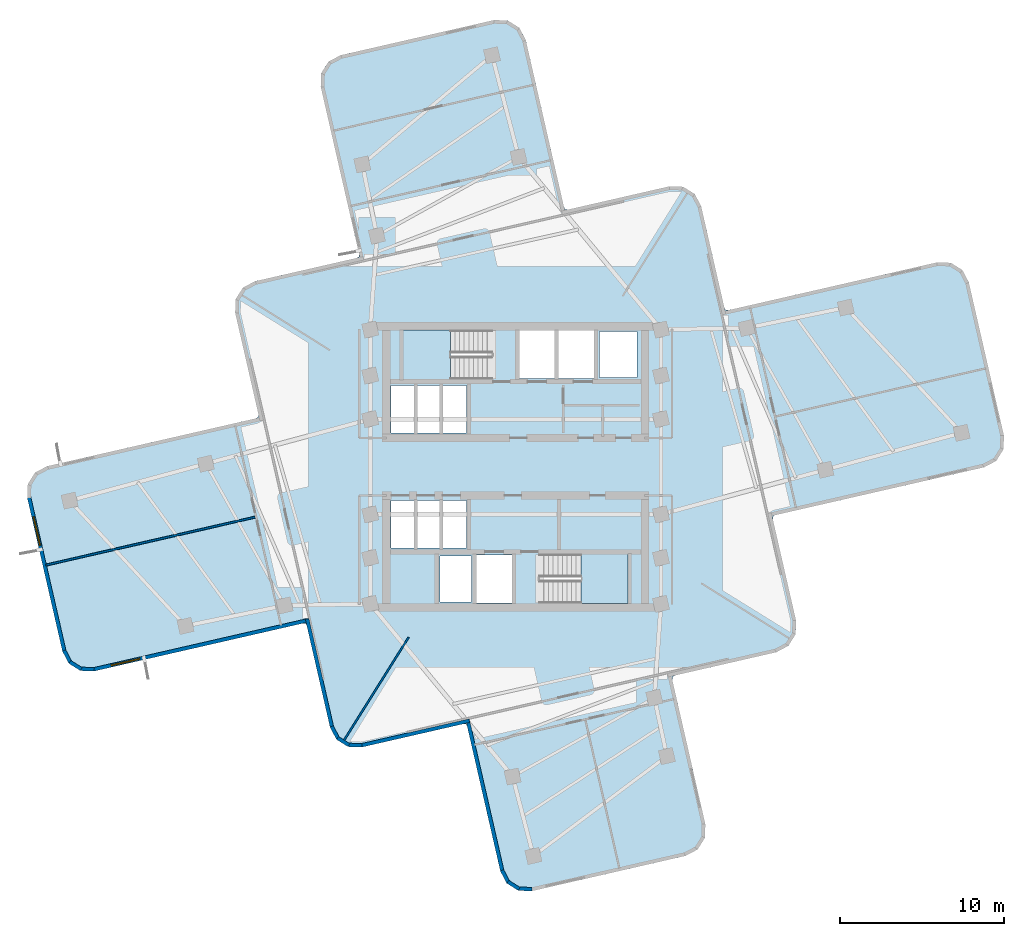
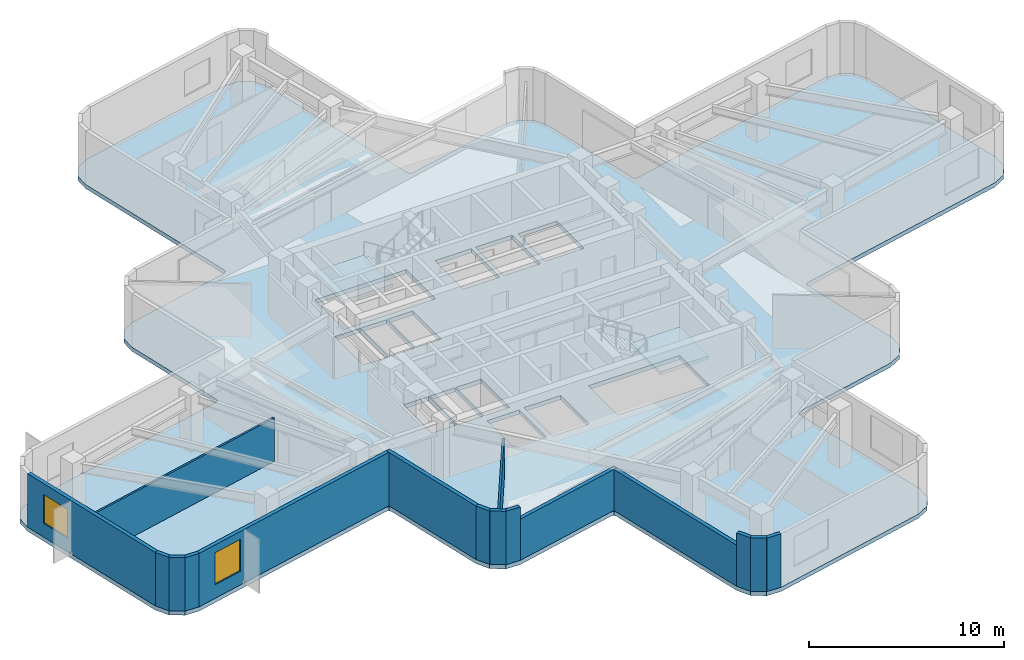
# One storey, part 2 of 7: 16 walls, 3 slabs, 2 windows, 2 openings, 2 elements without a shape of their own.
"""IFC4 building model written with IfcOpenShell, lengths in metres."""

from ifc_helpers import new_model, si_unit, direction, frame, frame_2d, origin, place, context, subcontext, project, spatial, polyline, rectangle, outline, extrude, material, layer, layer_set, type_object, element, fill, aggregate, save


model = new_model("IFC4")

# Units and contexts
model_context = context("Model", 3, precision=1e-05, world=origin(), true_north=direction((0.0, 1.0)))
body_context = subcontext(model_context, "Body", "Model", "MODEL_VIEW")
ifc_project = project(units=[si_unit("LENGTHUNIT", "METRE"), si_unit("AREAUNIT", "SQUARE_METRE"), si_unit("VOLUMEUNIT", "CUBIC_METRE"), si_unit("PLANEANGLEUNIT", "RADIAN"), si_unit("MASSUNIT", "GRAM", prefix="KILO")], contexts=[model_context])

# Site, building, storey
site_placement = place(None, origin())
site = spatial("IfcSite", under=ifc_project, at=site_placement, CompositionType="ELEMENT")
building_placement = place(site_placement, origin())
building = spatial("IfcBuilding", under=site, at=building_placement, Name="Solmarez Civic Tower", CompositionType="ELEMENT")
storey_placement = place(building_placement, frame((0.0, 0.0, 116.280029296875)))
storey = spatial("IfcBuildingStorey", under=building, at=storey_placement, Name="L30", CompositionType="ELEMENT", Elevation=116.280029296875)

# Stair, slab
ifc_material_1 = material(Name="Concrete C50/60", Category="concrete")
stair_type = type_object("IfcStairType", Name="STAIR-DOGLEG-140W-20R-1800", PredefinedType="HALF_TURN_STAIR", material=ifc_material_1)
stair_1_placement = place(storey_placement, origin())
stair_1 = element("IfcStair", 1, at=stair_1_placement, inside=storey, type_object=stair_type, Name="L30 North Core Protected Exit Stair ST-1", PredefinedType="HALF_TURN_STAIR")
ifc_layer_1 = layer(ifc_material_1, 0.199951171875)
ifc_layer_set_1 = layer_set([ifc_layer_1], Name="Concrete C50/60")
slab_type_1 = type_object("IfcSlabType", Name="SLAB-LANDING-200", PredefinedType="LANDING", material=ifc_layer_set_1)
slab_1_placement = place(storey_placement, frame((0.0, 0.0, 1.599853515625)))
slab_1 = element("IfcSlab", 2, at=slab_1_placement, type_object=slab_type_1, Name="ST-1 landing 1", PredefinedType="LANDING", context=body_context, shape_type="SweptSolid", body=[
    extrude(outline(polyline([(-3.969970703125, 8.320068359375), (-6.85009765625, 8.320068359375), (-6.85009765625, 5.320068359375), (-3.969970703125, 5.320068359375), (-3.969970703125, 8.320068359375)])), origin(), (0.0, 0.0, 1.0), 0.2001953125),
])
aggregate(stair_1, [slab_1])

stair_2_placement = place(storey_placement, origin())
stair_2 = element("IfcStair", 3, at=stair_2_placement, inside=storey, type_object=stair_type, Name="L30 South Core Protected Exit Stair ST-2", PredefinedType="HALF_TURN_STAIR")
slab_2_placement = place(storey_placement, frame((0.0, 0.0, 1.599853515625)))
slab_2 = element("IfcSlab", 4, at=slab_2_placement, type_object=slab_type_1, Name="ST-2 landing 1", PredefinedType="LANDING", context=body_context, shape_type="SweptSolid", body=[
    extrude(outline(polyline([(3.969970703125, -8.320068359375), (6.85009765625, -8.320068359375), (6.85009765625, -5.320068359375), (3.969970703125, -5.320068359375), (3.969970703125, -8.320068359375)])), origin(), (0.0, 0.0, 1.0), 0.2001953125),
])
aggregate(stair_2, [slab_2])

# Slab
ifc_layer_2 = layer(ifc_material_1, 0.260009765625)
ifc_layer_set_2 = layer_set([ifc_layer_2], Name="Concrete C50/60")
slab_type_2 = type_object("IfcSlabType", Name="SLAB-TOWER-260", PredefinedType="FLOOR", material=ifc_layer_set_2)
slab_3_placement = place(storey_placement, frame((0.0, 0.0, -0.260009765625)))
element("IfcSlab", 5, at=slab_3_placement, inside=storey, type_object=slab_type_2, Name="L30 Structural Slab", PredefinedType="FLOOR", context=body_context, shape_type="SweptSolid", body=[
    extrude(outline(polyline([(-12.70703125, -9.69189453125), (-11.2919921875, -15.87109375), (-10.904052734375, -16.60302734375), (-10.202880859375, -17.0439453125), (-9.375, -17.073974609375), (-3.196044921875, -15.658935546875), (-3.02392578125, -15.6650390625), (-2.943115234375, -15.81689453125), (-0.925048828125, -24.6279296875), (-0.5380859375, -25.360107421875), (0.1640625, -25.800048828125), (0.991943359375, -25.8310546875), (10.34912109375, -23.68701171875), (11.0810546875, -23.300048828125), (11.52099609375, -22.597900390625), (11.552001953125, -21.77099609375), (9.533935546875, -12.958984375), (9.5400390625, -12.787109375), (9.69189453125, -12.70703125), (15.87109375, -11.2919921875), (16.60302734375, -10.904052734375), (17.0439453125, -10.202880859375), (17.073974609375, -9.375), (15.658935546875, -3.196044921875), (15.6650390625, -3.02392578125), (15.81689453125, -2.943115234375), (28.527099609375, -0.031982421875), (29.259033203125, 0.35498046875), (29.698974609375, 1.056884765625), (29.72998046875, 1.885009765625), (27.5859375, 11.241943359375), (27.198974609375, 11.97412109375), (26.4970703125, 12.4140625), (25.669921875, 12.445068359375), (12.958984375, 9.533935546875), (12.787109375, 9.5400390625), (12.70703125, 9.69189453125), (11.2919921875, 15.87109375), (10.904052734375, 16.60302734375), (10.202880859375, 17.0439453125), (9.375, 17.073974609375), (3.196044921875, 15.658935546875), (3.02392578125, 15.6650390625), (2.943115234375, 15.81689453125), (0.613037109375, 25.992919921875), (0.22509765625, 26.72509765625), (-0.47705078125, 27.1650390625), (-1.303955078125, 27.195068359375), (-10.662109375, 25.052001953125), (-11.39404296875, 24.6640625), (-11.833984375, 23.962890625), (-11.864013671875, 23.135009765625), (-9.533935546875, 12.958984375), (-9.5400390625, 12.787109375), (-9.69189453125, 12.70703125), (-15.87109375, 11.2919921875), (-16.60302734375, 10.904052734375), (-17.0439453125, 10.202880859375), (-17.073974609375, 9.375), (-15.658935546875, 3.196044921875), (-15.6650390625, 3.02392578125), (-15.81689453125, 2.943115234375), (-28.527099609375, 0.031982421875), (-29.259033203125, -0.35498046875), (-29.698974609375, -1.056884765625), (-29.72998046875, -1.885009765625), (-27.5859375, -11.241943359375), (-27.198974609375, -11.97412109375), (-26.4970703125, -12.4140625), (-25.669921875, -12.445068359375), (-12.958984375, -9.533935546875), (-12.787109375, -9.5400390625), (-12.70703125, -9.69189453125)]), holes=[polyline([(-1.449951171875, 8.320068359375), (-6.85009765625, 8.320068359375), (-6.85009765625, 5.320068359375), (-1.449951171875, 5.320068359375), (-1.449951171875, 8.320068359375)]), polyline([(1.449951171875, -8.320068359375), (6.85009765625, -8.320068359375), (6.85009765625, -5.320068359375), (1.449951171875, -5.320068359375), (1.449951171875, -8.320068359375)]), polyline([(0.219970703125, 5.360107421875), (2.3798828125, 5.360107421875), (2.3798828125, 8.280029296875), (0.219970703125, 8.280029296875), (0.219970703125, 5.360107421875)]), polyline([(2.6201171875, 5.360107421875), (4.780029296875, 5.360107421875), (4.780029296875, 8.280029296875), (2.6201171875, 8.280029296875), (2.6201171875, 5.360107421875)]), polyline([(-2.3798828125, -8.280029296875), (-0.219970703125, -8.280029296875), (-0.219970703125, -5.360107421875), (-2.3798828125, -5.360107421875), (-2.3798828125, -8.280029296875)]), polyline([(-7.60009765625, -4.9599609375), (-6.1201171875, -4.9599609375), (-6.1201171875, -2.06005859375), (-7.60009765625, -2.06005859375), (-7.60009765625, -4.9599609375)]), polyline([(-6.0400390625, -4.9599609375), (-4.56005859375, -4.9599609375), (-4.56005859375, -2.06005859375), (-6.0400390625, -2.06005859375), (-6.0400390625, -4.9599609375)]), polyline([(-4.47998046875, -4.9599609375), (-3.0, -4.9599609375), (-3.0, -2.06005859375), (-4.47998046875, -2.06005859375), (-4.47998046875, -4.9599609375)]), polyline([(-7.60009765625, 2.06005859375), (-6.1201171875, 2.06005859375), (-6.1201171875, 4.9599609375), (-7.60009765625, 4.9599609375), (-7.60009765625, 2.06005859375)]), polyline([(-6.0400390625, 2.06005859375), (-4.56005859375, 2.06005859375), (-4.56005859375, 4.9599609375), (-6.0400390625, 4.9599609375), (-6.0400390625, 2.06005859375)]), polyline([(-4.47998046875, 2.06005859375), (-3.0, 2.06005859375), (-3.0, 4.9599609375), (-4.47998046875, 4.9599609375), (-4.47998046875, 2.06005859375)]), polyline([(5.10009765625, 5.419921875), (7.39990234375, 5.419921875), (7.39990234375, 8.219970703125), (5.10009765625, 8.219970703125), (5.10009765625, 5.419921875)]), polyline([(-4.60009765625, -8.219970703125), (-2.699951171875, -8.219970703125), (-2.699951171875, -5.419921875), (-4.60009765625, -5.419921875), (-4.60009765625, -8.219970703125)])]), origin(), (0.0, 0.0, 1.0), 0.260009765625),
])

# Wall, opening, window
ifc_material_2 = material(Name="Precast concrete C40/50", Category="concrete")
ifc_layer_3 = layer(ifc_material_2, 0.219970703125)
ifc_layer_set_3 = layer_set([ifc_layer_3], Name="Precast concrete C40/50")
wall_type_1 = type_object("IfcWallType", Name="WALL-EXT-220", PredefinedType="SOLIDWALL", material=ifc_layer_set_3)
wall_1_placement = place(storey_placement, frame((-12.5849609375, -9.3349609375, 0.0), z_axis=(0.0, 0.0, 1.0), x_axis=(-0.974754036658, -0.223281365141, 0.0)))
wall_1 = element("IfcWall", 6, at=wall_1_placement, inside=storey, type_object=wall_type_1, Name="L30 Exterior Precast Wall 2", PredefinedType="SOLIDWALL", context=body_context, shape_type="SweptSolid", body=[
    extrude(rectangle(XDim=13.458984375, YDim=0.219970703125, at=frame_2d((6.7294921875, 0.0))), origin(), (0.0, 0.0, 1.0), 3.340087890625),
])
opening_1_placement = place(wall_1_placement, frame((10.55908203125, 0.0, 0.85009765625)))
opening_1 = element("IfcOpeningElement", 7, at=opening_1_placement, cuts=wall_1, Name="Opening W-04", PredefinedType="OPENING", context=body_context, shape_type="SweptSolid", body=[
    extrude(rectangle(XDim=1.800048828125, YDim=2.0, at=frame_2d((0.89990234375, 1.0))), frame((0.0, 0.119873046875, 0.0), z_axis=(0.0, -1.0, 0.0), x_axis=(1.0, 0.0, 0.0)), (0.0, 0.0, 1.0), 0.239990234375),
])
ifc_material_3 = material(Name="Solar Control Bronze-Tinted Insulating Glass", Category="glass")
window_type_1 = type_object("IfcWindowType", Name="WIN-1800X2000", PartitioningType="SINGLE_PANEL", PredefinedType="WINDOW", material=ifc_material_3)
window_1_placement = place(opening_1_placement, origin())
window_1 = element("IfcWindow", 8, at=window_1_placement, inside=storey, type_object=window_type_1, Name="L30 Exterior Facade Window 2", OverallHeight=2.0, OverallWidth=1.800048828125, PartitioningType="SINGLE_PANEL", PredefinedType="WINDOW", context=body_context, shape_type="SweptSolid", body=[
    extrude(rectangle(XDim=1.800048828125, YDim=2.0, at=frame_2d((0.89990234375, 1.0))), frame((0.0, 0.030029296875, 0.0), z_axis=(0.0, -1.0, 0.0), x_axis=(1.0, 0.0, 0.0)), (0.0, 0.0, 1.0), 0.06005859375),
])
fill(opening_1, window_1)

# Walls
wall_2_placement = place(storey_placement, frame((-25.655029296875, -12.3349609375, 0.0), z_axis=(0.0, 0.0, 1.0), x_axis=(-0.999352376715, 0.035983706773, 0.0)))
element("IfcWall", 9, at=wall_2_placement, inside=storey, type_object=wall_type_1, Name="L30 Exterior Precast Wall 3", PredefinedType="SOLIDWALL", context=body_context, shape_type="SweptSolid", body=[
    extrude(rectangle(XDim=0.83447265625, YDim=0.219970703125, at=frame_2d((0.417236328125, 0.0))), origin(), (0.0, 0.0, 1.0), 3.340087890625),
])
wall_3_placement = place(storey_placement, frame((-26.443115234375, -12.319091796875, 0.0), z_axis=(0.0, 0.0, 1.0), x_axis=(-0.846889988853, 0.531768132536, 0.0)))
element("IfcWall", 10, at=wall_3_placement, inside=storey, type_object=wall_type_1, Name="L30 Exterior Precast Wall 4", PredefinedType="SOLIDWALL", context=body_context, shape_type="SweptSolid", body=[
    extrude(rectangle(XDim=0.818115234375, YDim=0.219970703125, at=frame_2d((0.4091796875, 0.0))), origin(), (0.0, 0.0, 1.0), 3.340087890625),
])
wall_4_placement = place(storey_placement, frame((-27.10302734375, -11.9189453125, 0.0), z_axis=(0.0, 0.0, 1.0), x_axis=(-0.468506090516, 0.883460266876, 0.0)))
element("IfcWall", 11, at=wall_4_placement, inside=storey, type_object=wall_type_1, Name="L30 Exterior Precast Wall 5", PredefinedType="SOLIDWALL", context=body_context, shape_type="SweptSolid", body=[
    extrude(rectangle(XDim=0.834228515625, YDim=0.219970703125, at=frame_2d((0.4169921875, 0.0))), origin(), (0.0, 0.0, 1.0), 3.340087890625),
])

# Wall, opening, window
wall_5_placement = place(storey_placement, frame((-27.47607421875, -11.22802734375, 0.0), z_axis=(0.0, 0.0, 1.0), x_axis=(-0.223358074049, 0.974736462208, 0.0)))
wall_5 = element("IfcWall", 12, at=wall_5_placement, inside=storey, type_object=wall_type_1, Name="L30 Exterior Precast Wall 6", PredefinedType="SOLIDWALL", context=body_context, shape_type="SweptSolid", body=[
    extrude(rectangle(XDim=9.62109375, YDim=0.219970703125, at=frame_2d((4.810546875, 0.0))), origin(), (0.0, 0.0, 1.0), 3.340087890625),
])
opening_2_placement = place(wall_5_placement, frame((6.60400390625, 0.0, 0.85009765625)))
opening_2 = element("IfcOpeningElement", 13, at=opening_2_placement, cuts=wall_5, Name="Opening W-08", PredefinedType="OPENING", context=body_context, shape_type="SweptSolid", body=[
    extrude(rectangle(XDim=1.800048828125, YDim=1.800048828125, at=frame_2d((0.89990234375, 0.89990234375))), frame((0.0, 0.119873046875, 0.0), z_axis=(0.0, -1.0, 0.0), x_axis=(1.0, 0.0, 0.0)), (0.0, 0.0, 1.0), 0.239990234375),
])
window_type_2 = type_object("IfcWindowType", Name="WIN-1800X1800", PartitioningType="SINGLE_PANEL", PredefinedType="WINDOW", material=ifc_material_3)
window_2_placement = place(opening_2_placement, origin())
window_2 = element("IfcWindow", 14, at=window_2_placement, inside=storey, type_object=window_type_2, Name="L30 Exterior Facade Window 6", OverallHeight=1.800048828125, OverallWidth=1.800048828125, PartitioningType="SINGLE_PANEL", PredefinedType="WINDOW", context=body_context, shape_type="SweptSolid", body=[
    extrude(rectangle(XDim=1.800048828125, YDim=1.800048828125, at=frame_2d((0.89990234375, 0.89990234375))), frame((0.0, 0.030029296875, 0.0), z_axis=(0.0, -1.0, 0.0), x_axis=(1.0, 0.0, 0.0)), (0.0, 0.0, 1.0), 0.06005859375),
])
fill(opening_2, window_2)

# Walls
wall_6_placement = place(storey_placement, frame((1.006103515625, -25.720947265625, 0.0), z_axis=(0.0, 0.0, 1.0), x_axis=(-0.999307996296, 0.037195813461, 0.0)))
element("IfcWall", 15, at=wall_6_placement, inside=storey, type_object=wall_type_1, Name="L30 Exterior Precast Wall 61", PredefinedType="SOLIDWALL", context=body_context, shape_type="SweptSolid", body=[
    extrude(rectangle(XDim=0.83349609375, YDim=0.219970703125, at=frame_2d((0.416748046875, 0.0))), origin(), (0.0, 0.0, 1.0), 3.340087890625),
])
wall_7_placement = place(storey_placement, frame((0.218994140625, -25.7041015625, 0.0), z_axis=(0.0, 0.0, 1.0), x_axis=(-0.847847482865, 0.530240177466, 0.0)))
element("IfcWall", 16, at=wall_7_placement, inside=storey, type_object=wall_type_1, Name="L30 Exterior Precast Wall 62", PredefinedType="SOLIDWALL", context=body_context, shape_type="SweptSolid", body=[
    extrude(rectangle(XDim=0.818603515625, YDim=0.219970703125, at=frame_2d((0.4091796875, 0.0))), origin(), (0.0, 0.0, 1.0), 3.340087890625),
])
wall_8_placement = place(storey_placement, frame((-0.44189453125, -25.304931640625, 0.0), z_axis=(0.0, 0.0, 1.0), x_axis=(-0.468250279951, 0.883595877835, 0.0)))
element("IfcWall", 17, at=wall_8_placement, inside=storey, type_object=wall_type_1, Name="L30 Exterior Precast Wall 63", PredefinedType="SOLIDWALL", context=body_context, shape_type="SweptSolid", body=[
    extrude(rectangle(XDim=0.835205078125, YDim=0.219970703125, at=frame_2d((0.41748046875, 0.0))), origin(), (0.0, 0.0, 1.0), 3.340087890625),
])
wall_9_placement = place(storey_placement, frame((-0.81494140625, -24.613037109375, 0.0), z_axis=(0.0, 0.0, 1.0), x_axis=(-0.223313309104, 0.974746718885, 0.0)))
element("IfcWall", 18, at=wall_9_placement, inside=storey, type_object=wall_type_1, Name="L30 Exterior Precast Wall 64", PredefinedType="SOLIDWALL", context=body_context, shape_type="SweptSolid", body=[
    extrude(rectangle(XDim=9.457763671875, YDim=0.219970703125, at=frame_2d((4.72900390625, 0.0))), origin(), (0.0, 0.0, 1.0), 2.570068359375),
])
wall_10_placement = place(storey_placement, frame((-2.821044921875, -15.4599609375, 0.0), z_axis=(0.0, 0.0, 1.0), x_axis=(-0.974754598481, -0.223278912438, 0.0)))
element("IfcWall", 19, at=wall_10_placement, inside=storey, type_object=wall_type_1, Name="L30 Exterior Precast Wall 67", PredefinedType="SOLIDWALL", context=body_context, shape_type="SweptSolid", body=[
    extrude(rectangle(XDim=6.758544921875, YDim=0.219970703125, at=frame_2d((3.37939453125, 0.0))), origin(), (0.0, 0.0, 1.0), 2.570068359375),
])
wall_11_placement = place(storey_placement, frame((-9.360107421875, -16.964111328125, 0.0), z_axis=(0.0, 0.0, 1.0), x_axis=(-0.999352376715, 0.035983706773, 0.0)))
element("IfcWall", 20, at=wall_11_placement, inside=storey, type_object=wall_type_1, Name="L30 Exterior Precast Wall 68", PredefinedType="SOLIDWALL", context=body_context, shape_type="SweptSolid", body=[
    extrude(rectangle(XDim=0.83447265625, YDim=0.219970703125, at=frame_2d((0.417236328125, 0.0))), origin(), (0.0, 0.0, 1.0), 3.340087890625),
])
wall_12_placement = place(storey_placement, frame((-10.14794921875, -16.947998046875, 0.0), z_axis=(0.0, 0.0, 1.0), x_axis=(-0.847311109497, 0.531096868492, 0.0)))
element("IfcWall", 21, at=wall_12_placement, inside=storey, type_object=wall_type_1, Name="L30 Exterior Precast Wall 69", PredefinedType="SOLIDWALL", context=body_context, shape_type="SweptSolid", body=[
    extrude(rectangle(XDim=0.819091796875, YDim=0.219970703125, at=frame_2d((0.40966796875, 0.0))), origin(), (0.0, 0.0, 1.0), 3.340087890625),
])
wall_13_placement = place(storey_placement, frame((-10.80908203125, -16.548095703125, 0.0), z_axis=(0.0, 0.0, 1.0), x_axis=(-0.468506090516, 0.883460266876, 0.0)))
element("IfcWall", 22, at=wall_13_placement, inside=storey, type_object=wall_type_1, Name="L30 Exterior Precast Wall 70", PredefinedType="SOLIDWALL", context=body_context, shape_type="SweptSolid", body=[
    extrude(rectangle(XDim=0.834228515625, YDim=0.219970703125, at=frame_2d((0.4169921875, 0.0))), origin(), (0.0, 0.0, 1.0), 3.340087890625),
])
wall_14_placement = place(storey_placement, frame((-11.181884765625, -15.85693359375, 0.0), z_axis=(0.0, 0.0, 1.0), x_axis=(-0.223278912438, 0.974754598481, 0.0)))
element("IfcWall", 23, at=wall_14_placement, inside=storey, type_object=wall_type_1, Name="L30 Exterior Precast Wall 71", PredefinedType="SOLIDWALL", context=body_context, shape_type="SweptSolid", body=[
    extrude(rectangle(XDim=6.758544921875, YDim=0.219970703125, at=frame_2d((3.37939453125, 0.0))), origin(), (0.0, 0.0, 1.0), 3.340087890625),
])
ifc_material_4 = material(Name="Gypsum Board Acoustic Steel-Stud Partition", Category="steel")
ifc_layer_4 = layer(ifc_material_4, 0.110107421875)
ifc_layer_set_4 = layer_set([ifc_layer_4], Name="Gypsum Board Acoustic Steel-Stud Partition")
wall_type_2 = type_object("IfcWallType", Name="WALL-INT-PART-110", PredefinedType="PARTITIONING", material=ifc_layer_set_4)
wall_15_placement = place(storey_placement, frame((-6.511962890625, -10.3798828125, 0.0), z_axis=(0.0, 0.0, 1.0), x_axis=(-0.531323053356, -0.847169294163, 0.0)))
element("IfcWall", 24, at=wall_15_placement, inside=storey, type_object=wall_type_2, Name="L30 Interior Partition PT-L30-QDIV-3", PredefinedType="PARTITIONING", context=body_context, shape_type="SweptSolid", body=[
    extrude(rectangle(XDim=7.42138671875, YDim=0.110107421875, at=frame_2d((3.710693359375, 0.0))), origin(), (0.0, 0.0, 1.0), 2.570068359375),
])
wall_16_placement = place(storey_placement, frame((-15.85498046875, -3.06689453125, 0.0), z_axis=(0.0, 0.0, 1.0), x_axis=(-0.974758398925, -0.223262320434, 0.0)))
element("IfcWall", 25, at=wall_16_placement, inside=storey, type_object=wall_type_2, Name="L30 Interior Partition PT-L30-W-TSP", PredefinedType="PARTITIONING", context=body_context, shape_type="SweptSolid", body=[
    extrude(rectangle(XDim=13.0751953125, YDim=0.110107421875, at=frame_2d((6.53759765625, 0.0))), origin(), (0.0, 0.0, 1.0), 2.719970703125),
])

save(model, "model.ifc")
